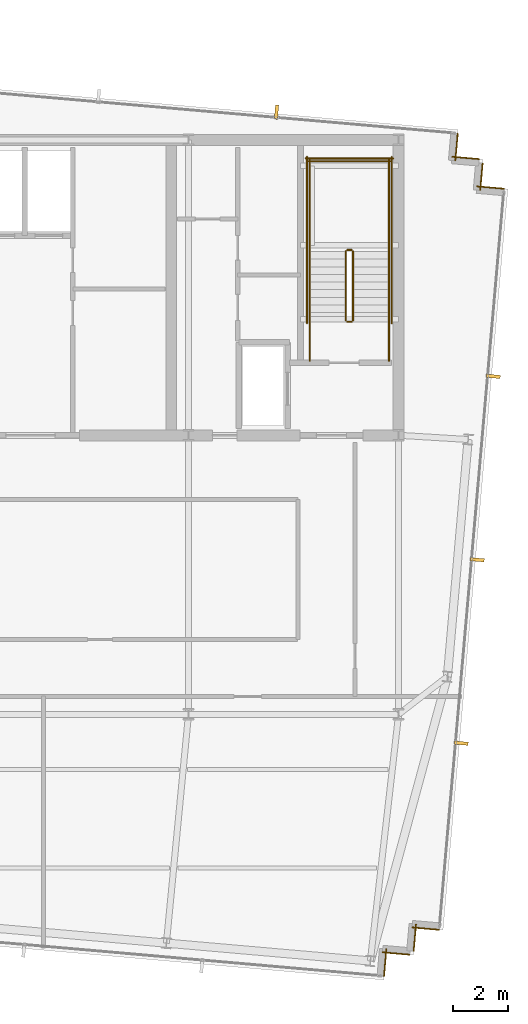
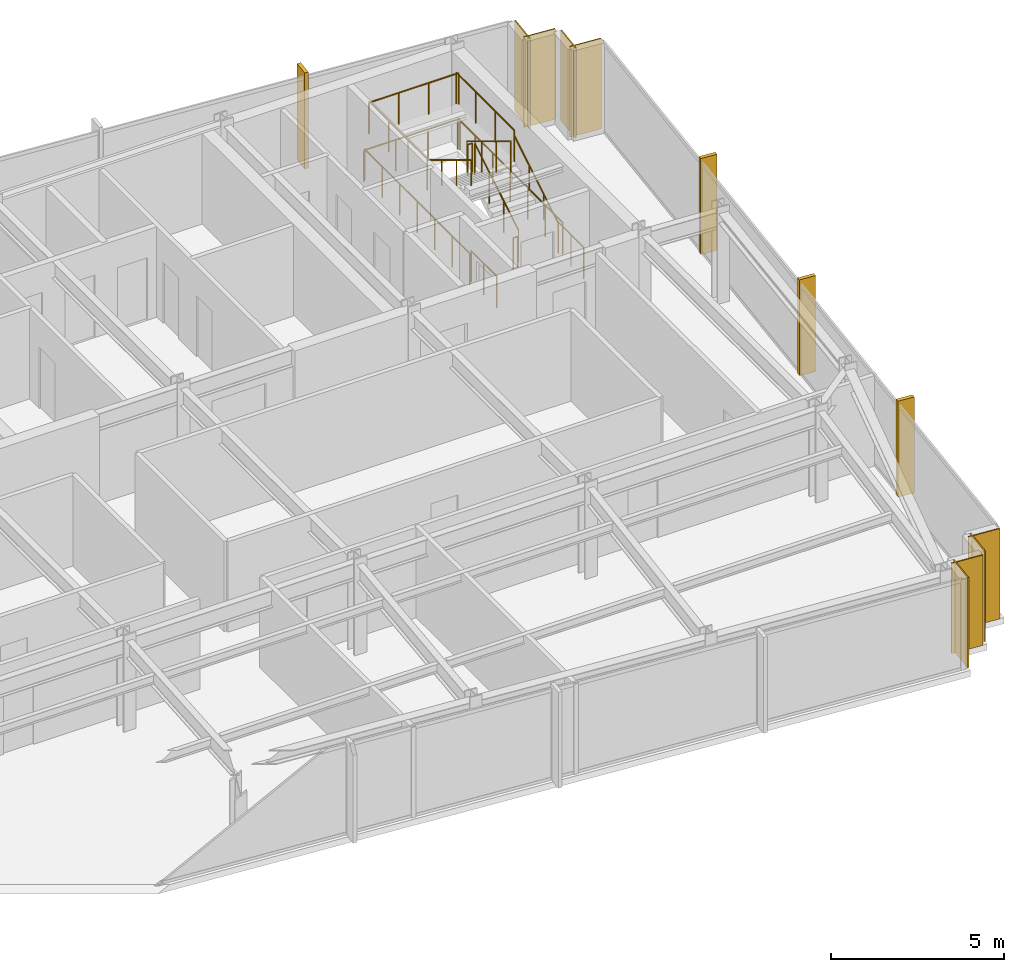
# One storey, part 31 of 32: 14 railings, 8 coverings, 4 shading devices.
"""IFC4 building model written with IfcOpenShell, lengths in metres."""

from ifc_helpers import new_model, si_unit, direction, frame, frame_2d, origin, origin_2d, place, context, subcontext, project, spatial, rectangle, circle, extrude, material, layer, layer_set, type_object, element, save


model = new_model("IFC4")

# Units and contexts
model_context = context("Model", 3, precision=1e-05, world=origin(), true_north=direction((0.0, 1.0)))
body_context = subcontext(model_context, "Body", "Model", "MODEL_VIEW")
ifc_project = project(units=[si_unit("LENGTHUNIT", "METRE"), si_unit("AREAUNIT", "SQUARE_METRE"), si_unit("VOLUMEUNIT", "CUBIC_METRE"), si_unit("PLANEANGLEUNIT", "RADIAN"), si_unit("MASSUNIT", "GRAM", prefix="KILO")], contexts=[model_context])

# Site, building, storey
site_placement = place(None, origin())
site = spatial("IfcSite", under=ifc_project, at=site_placement, CompositionType="ELEMENT")
building_placement = place(site_placement, origin())
building = spatial("IfcBuilding", under=site, at=building_placement, Name="Yelkora Congress Tower", CompositionType="ELEMENT")
storey_placement = place(building_placement, frame((0.0, 0.0, 262.5)))
storey = spatial("IfcBuildingStorey", under=building, at=storey_placement, Name="L73", CompositionType="ELEMENT", Elevation=262.5)

# Coverings
ifc_material_1 = material(Name="Anatolian bush-hammered limestone", Category="masonry")
ifc_layer_1 = layer(ifc_material_1, 0.0400390625)
ifc_layer_set_1 = layer_set([ifc_layer_1], Name="Anatolian bush-hammered limestone")
covering_type = type_object("IfcCoveringType", Name="COV-CLAD-SPANDREL-40", PredefinedType="CLADDING", material=ifc_layer_set_1)
for number, where, z_axis, x_axis, name in (
    (1, (55.92041015625, 46.431396484375, 0.0), (0.0, 0.0, 1.0), (-0.086903493655, -0.996216734848, 0.0), "L73 Anatolian Limestone Cladding EW-L73-SR11"),
    (2, (55.710693359375, 45.581298828125, 0.0), (0.0, 0.0, 1.0), (0.996193717496, -0.087166950281, 0.0), "L73 Anatolian Limestone Cladding EW-L73-SR12"),
    (3, (56.82958984375, 45.347900390625, 0.0), (0.0, 0.0, 1.0), (-0.087166950281, -0.996193717496, 0.0), "L73 Anatolian Limestone Cladding EW-L73-SR13"),
):
    element("IfcCovering", number, at=place(storey_placement, frame(where, z_axis=z_axis, x_axis=x_axis)), inside=storey, type_object=covering_type, Name=name, PredefinedType="CLADDING", context=body_context, shape_type="SweptSolid", body=[
        extrude(rectangle(XDim=1.0, YDim=0.0400390625, at=frame_2d((0.5, 0.0))), origin(), (0.0, 0.0, 1.0), 3.179931640625),
    ])
covering_1_placement = place(storey_placement, frame((56.61962890625, 44.498046875, 0.0), z_axis=(0.0, 0.0, 1.0), x_axis=(0.996195572005, -0.087145753297, 0.0)))
element("IfcCovering", 4, at=covering_1_placement, inside=storey, type_object=covering_type, Name="L73 Anatolian Limestone Cladding EW-L73-SR14", PredefinedType="CLADDING", context=body_context, shape_type="SweptSolid", body=[
    extrude(rectangle(XDim=1.000244140625, YDim=0.0400390625, at=frame_2d((0.5, 0.0))), origin(), (0.0, 0.0, 1.0), 3.179931640625),
])
for number, where, z_axis, x_axis, name in (
    (5, (55.24609375, 17.32421875, 0.0), (0.0, 0.0, 1.0), (-0.99617248636, 0.08740925248, 0.0), "L73 Anatolian Limestone Cladding EW-L73-SR16"),
    (6, (54.396240234375, 17.5341796875, 0.0), (0.0, 0.0, 1.0), (-0.087166950281, -0.996193717496, 0.0), "L73 Anatolian Limestone Cladding EW-L73-SR17"),
):
    element("IfcCovering", number, at=place(storey_placement, frame(where, z_axis=z_axis, x_axis=x_axis)), inside=storey, type_object=covering_type, Name=name, PredefinedType="CLADDING", context=body_context, shape_type="SweptSolid", body=[
        extrude(rectangle(XDim=1.0, YDim=0.0400390625, at=frame_2d((0.5, 0.0))), origin(), (0.0, 0.0, 1.0), 3.179931640625),
    ])
covering_2_placement = place(storey_placement, frame((54.162841796875, 16.415283203125, 0.0), z_axis=(0.0, 0.0, 1.0), x_axis=(-0.996195572005, 0.087145753297, 0.0)))
element("IfcCovering", 7, at=covering_2_placement, inside=storey, type_object=covering_type, Name="L73 Anatolian Limestone Cladding EW-L73-SR18", PredefinedType="CLADDING", context=body_context, shape_type="SweptSolid", body=[
    extrude(rectangle(XDim=1.000244140625, YDim=0.0400390625, at=frame_2d((0.5, 0.0))), origin(), (0.0, 0.0, 1.0), 3.179931640625),
])
covering_3_placement = place(storey_placement, frame((53.312744140625, 16.625, 0.0), z_axis=(0.0, 0.0, 1.0), x_axis=(-0.087166950281, -0.996193717496, 0.0)))
element("IfcCovering", 8, at=covering_3_placement, inside=storey, type_object=covering_type, Name="L73 Anatolian Limestone Cladding EW-L73-SR19", PredefinedType="CLADDING", context=body_context, shape_type="SweptSolid", body=[
    extrude(rectangle(XDim=1.0, YDim=0.0400390625, at=frame_2d((0.5, 0.0))), origin(), (0.0, 0.0, 1.0), 3.179931640625),
])

# Railings
ifc_material_2 = material(Name="Painted galvanised steel stair well guard with vertical infill", Category="steel")
ifc_layer_2 = layer(ifc_material_2, 0.06005859375)
ifc_layer_set_2 = layer_set([ifc_layer_2], Name="Painted galvanised steel stair well guard with vertical infill")
railing_type_1 = type_object("IfcRailingType", Name="RAIL-STAIR-GUARD-1120", PredefinedType="GUARDRAIL", material=ifc_layer_set_2)
railing_1_placement = place(storey_placement, frame((52.090087890625, 39.60009765625, 0.169921875)))
element("IfcRailing", 9, at=railing_1_placement, inside=storey, type_object=railing_type_1, Name="ST-02 L73 Stair Well Guardrail 1", PredefinedType="GUARDRAIL", context=body_context, shape_type="SweptSolid", body=[
    extrude(circle(Radius=0.02392578125, at=origin_2d()), frame((0.0, 0.0, 1.09619140625), z_axis=(0.0, 0.85478489116, 0.518982456201), x_axis=(-1.0, 0.0, 0.0)), (0.0, 0.0, 1.0), 2.9482421875),
    extrude(circle(Radius=0.02099609375, at=origin_2d()), origin(), (0.0, 0.0, 1.0), 1.072021484375),
    extrude(circle(Radius=0.02099609375, at=origin_2d()), frame((0.0, 0.840087890625, 0.510009765625)), (0.0, 0.0, 1.0), 1.072021484375),
    extrude(circle(Radius=0.02099609375, at=origin_2d()), frame((0.0, 1.679931640625, 1.02001953125)), (0.0, 0.0, 1.0), 1.072021484375),
    extrude(circle(Radius=0.02099609375, at=origin_2d()), frame((0.0, 2.52001953125, 1.530029296875)), (0.0, 0.0, 1.0), 1.072021484375),
])
railing_2_placement = place(storey_placement, frame((52.0400390625, 42.169921875, 1.699951171875)))
element("IfcRailing", 10, at=railing_2_placement, inside=storey, type_object=railing_type_1, Name="ST-02 L73 Stair Well Guardrail 2", PredefinedType="GUARDRAIL", context=body_context, shape_type="SweptSolid", body=[
    extrude(circle(Radius=0.02392578125, at=origin_2d()), frame((0.0, 0.0, 1.09619140625), z_axis=(-1.0, 0.0, 0.0), x_axis=(0.0, -1.0, 0.0)), (0.0, 0.0, 1.0), 0.16015625),
    extrude(circle(Radius=0.02099609375, at=origin_2d()), origin(), (0.0, 0.0, 1.0), 1.072021484375),
    extrude(circle(Radius=0.02099609375, at=origin_2d()), frame((-0.16015625, 0.0, 0.0)), (0.0, 0.0, 1.0), 1.072021484375),
])
for number, where, name in (
    (11, (53.409912109375, 42.1201171875, 1.699951171875), "ST-02 L73 Stair Well Guardrail 3"),
    (12, (50.510009765625, 42.1201171875, 1.699951171875), "ST-02 L73 Stair Well Guardrail 4"),
):
    element("IfcRailing", number, at=place(storey_placement, frame(where)), inside=storey, type_object=railing_type_1, Name=name, PredefinedType="GUARDRAIL", context=body_context, shape_type="SweptSolid", body=[
        extrude(circle(Radius=0.02392578125, at=origin_2d()), frame((0.0, 0.0, 1.09619140625), z_axis=(0.0, 1.0, 0.0), x_axis=(-1.0, 0.0, 0.0)), (0.0, 0.0, 1.0), 3.349853515625),
        extrude(circle(Radius=0.02099609375, at=origin_2d()), origin(), (0.0, 0.0, 1.0), 1.072021484375),
        extrude(circle(Radius=0.02099609375, at=origin_2d()), frame((0.0, 1.11669921875, 0.0)), (0.0, 0.0, 1.0), 1.072021484375),
        extrude(circle(Radius=0.02099609375, at=origin_2d()), frame((0.0, 2.233154296875, 0.0)), (0.0, 0.0, 1.0), 1.072021484375),
        extrude(circle(Radius=0.02099609375, at=origin_2d()), frame((0.0, 3.349853515625, 0.0)), (0.0, 0.0, 1.0), 1.072021484375),
    ])
railing_3_placement = place(storey_placement, frame((53.4599609375, 45.419921875, 1.699951171875)))
element("IfcRailing", 13, at=railing_3_placement, inside=storey, type_object=railing_type_1, Name="ST-02 L73 Stair Well Guardrail 5", PredefinedType="GUARDRAIL", context=body_context, shape_type="SweptSolid", body=[
    extrude(circle(Radius=0.02392578125, at=origin_2d()), frame((0.0, 0.0, 1.09619140625), z_axis=(-1.0, 0.0, 0.0), x_axis=(0.0, -1.0, 0.0)), (0.0, 0.0, 1.0), 3.0),
    extrude(circle(Radius=0.02099609375, at=origin_2d()), origin(), (0.0, 0.0, 1.0), 1.072021484375),
    extrude(circle(Radius=0.02099609375, at=origin_2d()), frame((-1.0, 0.0, 0.0)), (0.0, 0.0, 1.0), 1.072021484375),
    extrude(circle(Radius=0.02099609375, at=origin_2d()), frame((-2.0, 0.0, 0.0)), (0.0, 0.0, 1.0), 1.072021484375),
    extrude(circle(Radius=0.02099609375, at=origin_2d()), frame((-3.0, 0.0, 0.0)), (0.0, 0.0, 1.0), 1.072021484375),
])
railing_4_placement = place(storey_placement, frame((51.830078125, 42.1201171875, 1.8701171875)))
element("IfcRailing", 14, at=railing_4_placement, inside=storey, type_object=railing_type_1, Name="ST-02 L73 Stair Well Guardrail 6", PredefinedType="GUARDRAIL", context=body_context, shape_type="SweptSolid", body=[
    extrude(circle(Radius=0.02392578125, at=origin_2d()), frame((0.0, 0.0, 1.09619140625), z_axis=(0.0, -0.854821627497, 0.518921945155), x_axis=(1.0, 0.0, 0.0)), (0.0, 0.0, 1.0), 2.947998046875),
    extrude(circle(Radius=0.02099609375, at=origin_2d()), origin(), (0.0, 0.0, 1.0), 1.072021484375),
    extrude(circle(Radius=0.02099609375, at=origin_2d()), frame((0.0, -0.840087890625, 0.510009765625)), (0.0, 0.0, 1.0), 1.072021484375),
    extrude(circle(Radius=0.02099609375, at=origin_2d()), frame((0.0, -1.679931640625, 1.019775390625)), (0.0, 0.0, 1.0), 1.072021484375),
    extrude(circle(Radius=0.02099609375, at=origin_2d()), frame((0.0, -2.52001953125, 1.52978515625)), (0.0, 0.0, 1.0), 1.072021484375),
])
railing_5_placement = place(storey_placement, frame((52.0400390625, 39.550048828125, 0.0)))
element("IfcRailing", 15, at=railing_5_placement, inside=storey, type_object=railing_type_1, Name="ST-02 L73 Stair Well Guardrail 7", PredefinedType="GUARDRAIL", context=body_context, shape_type="SweptSolid", body=[
    extrude(circle(Radius=0.02392578125, at=origin_2d()), frame((0.0, 0.0, 1.09619140625), z_axis=(-1.0, 0.0, 0.0), x_axis=(0.0, -1.0, 0.0)), (0.0, 0.0, 1.0), 0.16015625),
    extrude(circle(Radius=0.02099609375, at=origin_2d()), origin(), (0.0, 0.0, 1.0), 1.072021484375),
    extrude(circle(Radius=0.02099609375, at=origin_2d()), frame((-0.16015625, 0.0, 0.0)), (0.0, 0.0, 1.0), 1.072021484375),
])
for number, where, name in (
    (16, (53.409912109375, 38.1201171875, 0.0), "ST-02 L73 Stair Well Guardrail 8"),
    (17, (50.510009765625, 38.1201171875, 0.0), "ST-02 L73 Stair Well Guardrail 9"),
):
    element("IfcRailing", number, at=place(storey_placement, frame(where)), inside=storey, type_object=railing_type_1, Name=name, PredefinedType="GUARDRAIL", context=body_context, shape_type="SweptSolid", body=[
        extrude(circle(Radius=0.02392578125, at=origin_2d()), frame((0.0, 0.0, 1.09619140625), z_axis=(0.0, 1.0, 0.0), x_axis=(-1.0, 0.0, 0.0)), (0.0, 0.0, 1.0), 1.47998046875),
        extrude(circle(Radius=0.02099609375, at=origin_2d()), origin(), (0.0, 0.0, 1.0), 1.072021484375),
        extrude(circle(Radius=0.02099609375, at=origin_2d()), frame((0.0, 0.739990234375, 0.0)), (0.0, 0.0, 1.0), 1.072021484375),
        extrude(circle(Radius=0.02099609375, at=origin_2d()), frame((0.0, 1.47998046875, 0.0)), (0.0, 0.0, 1.0), 1.072021484375),
    ])
for number, where, name in (
    (18, (53.510009765625, 39.5, 0.0), "ST-02 L73 Stair Well Guardrail 10"),
    (19, (50.409912109375, 39.5, 0.0), "ST-02 L73 Stair Well Guardrail 11"),
):
    element("IfcRailing", number, at=place(storey_placement, frame(where)), inside=storey, type_object=railing_type_1, Name=name, PredefinedType="GUARDRAIL", context=body_context, shape_type="SweptSolid", body=[
        extrude(circle(Radius=0.02392578125, at=origin_2d()), frame((0.0, 0.0, 1.09619140625), z_axis=(0.0, 1.0, 0.0), x_axis=(-1.0, 0.0, 0.0)), (0.0, 0.0, 1.0), 6.070068359375),
        extrude(circle(Radius=0.02099609375, at=origin_2d()), origin(), (0.0, 0.0, 1.0), 1.072021484375),
        extrude(circle(Radius=0.02099609375, at=origin_2d()), frame((0.0, 1.01171875, 0.0)), (0.0, 0.0, 1.0), 1.072021484375),
        extrude(circle(Radius=0.02099609375, at=origin_2d()), frame((0.0, 2.0234375, 0.0)), (0.0, 0.0, 1.0), 1.072021484375),
        extrude(circle(Radius=0.02099609375, at=origin_2d()), frame((0.0, 3.03515625, 0.0)), (0.0, 0.0, 1.0), 1.072021484375),
        extrude(circle(Radius=0.02099609375, at=origin_2d()), frame((0.0, 4.046630859375, 0.0)), (0.0, 0.0, 1.0), 1.072021484375),
        extrude(circle(Radius=0.02099609375, at=origin_2d()), frame((0.0, 5.058349609375, 0.0)), (0.0, 0.0, 1.0), 1.072021484375),
        extrude(circle(Radius=0.02099609375, at=origin_2d()), frame((0.0, 6.070068359375, 0.0)), (0.0, 0.0, 1.0), 1.072021484375),
    ])
railing_6_placement = place(storey_placement, frame((53.56005859375, 45.52001953125, 0.0)))
element("IfcRailing", 20, at=railing_6_placement, inside=storey, type_object=railing_type_1, Name="ST-02 L73 Stair Well Guardrail 12", PredefinedType="GUARDRAIL", context=body_context, shape_type="SweptSolid", body=[
    extrude(circle(Radius=0.02392578125, at=origin_2d()), frame((0.0, 0.0, 1.09619140625), z_axis=(-1.0, 0.0, 0.0), x_axis=(0.0, -1.0, 0.0)), (0.0, 0.0, 1.0), 3.199951171875),
    extrude(circle(Radius=0.02099609375, at=origin_2d()), origin(), (0.0, 0.0, 1.0), 1.072021484375),
    extrude(circle(Radius=0.02099609375, at=origin_2d()), frame((-1.066650390625, 0.0, 0.0)), (0.0, 0.0, 1.0), 1.072021484375),
    extrude(circle(Radius=0.02099609375, at=origin_2d()), frame((-2.13330078125, 0.0, 0.0)), (0.0, 0.0, 1.0), 1.072021484375),
    extrude(circle(Radius=0.02099609375, at=origin_2d()), frame((-3.199951171875, 0.0, 0.0)), (0.0, 0.0, 1.0), 1.072021484375),
])
ifc_material_3 = material(Name="Brushed stainless steel tubular handrail", Category="steel")
ifc_layer_3 = layer(ifc_material_3, 0.050048828125)
ifc_layer_set_3 = layer_set([ifc_layer_3], Name="Brushed stainless steel tubular handrail")
railing_type_2 = type_object("IfcRailingType", Name="RAIL-STAIR-HAND-920", PredefinedType="HANDRAIL", material=ifc_layer_set_3)
railing_7_placement = place(storey_placement, frame((53.409912109375, 39.60009765625, 0.169921875)))
element("IfcRailing", 21, at=railing_7_placement, inside=storey, type_object=railing_type_2, Name="ST-02 L73 Pitch Handrail 1", PredefinedType="HANDRAIL", context=body_context, shape_type="SweptSolid", body=[
    extrude(circle(Radius=0.02392578125, at=origin_2d()), frame((0.0, 0.0, 0.89599609375), z_axis=(0.0, 0.85478489116, 0.518982456201), x_axis=(-1.0, 0.0, 0.0)), (0.0, 0.0, 1.0), 2.9482421875),
    extrude(circle(Radius=0.02099609375, at=origin_2d()), origin(), (0.0, 0.0, 1.0), 0.871826171875),
    extrude(circle(Radius=0.02099609375, at=origin_2d()), frame((0.0, 0.840087890625, 0.510009765625)), (0.0, 0.0, 1.0), 0.871826171875),
    extrude(circle(Radius=0.02099609375, at=origin_2d()), frame((0.0, 1.679931640625, 1.02001953125)), (0.0, 0.0, 1.0), 0.871826171875),
    extrude(circle(Radius=0.02099609375, at=origin_2d()), frame((0.0, 2.52001953125, 1.530029296875)), (0.0, 0.0, 1.0), 0.871826171875),
])
railing_8_placement = place(storey_placement, frame((50.510009765625, 42.1201171875, 1.8701171875)))
element("IfcRailing", 22, at=railing_8_placement, inside=storey, type_object=railing_type_2, Name="ST-02 L73 Pitch Handrail 2", PredefinedType="HANDRAIL", context=body_context, shape_type="SweptSolid", body=[
    extrude(circle(Radius=0.02392578125, at=origin_2d()), frame((0.0, 0.0, 0.89599609375), z_axis=(0.0, -0.854821627497, 0.518921945155), x_axis=(1.0, 0.0, 0.0)), (0.0, 0.0, 1.0), 2.947998046875),
    extrude(circle(Radius=0.02099609375, at=origin_2d()), origin(), (0.0, 0.0, 1.0), 0.871826171875),
    extrude(circle(Radius=0.02099609375, at=origin_2d()), frame((0.0, -0.840087890625, 0.510009765625)), (0.0, 0.0, 1.0), 0.871826171875),
    extrude(circle(Radius=0.02099609375, at=origin_2d()), frame((0.0, -1.679931640625, 1.019775390625)), (0.0, 0.0, 1.0), 0.871826171875),
    extrude(circle(Radius=0.02099609375, at=origin_2d()), frame((0.0, -2.52001953125, 1.52978515625)), (0.0, 0.0, 1.0), 0.871826171875),
])

# Shading devices
ifc_material_4 = material(Name="Champagne anodised aluminium", Category="aluminium")
ifc_layer_4 = layer(ifc_material_4, 3.300048828125)
ifc_layer_set_4 = layer_set([ifc_layer_4], Name="Champagne anodised aluminium")
shading_device_type = type_object("IfcShadingDeviceType", Name="SHD-FIN-ALU-520", PredefinedType="USERDEFINED", material=ifc_layer_set_4)
for number, where, z_axis, x_axis, name in (
    (23, (49.296875, 47.21142578125, -0.030029296875), (0.0, 0.0, 1.0), (0.996194698092, -0.087155742748, 0.0), "L73 Vertical Anodised Solar Fin 10-6"),
    (24, (57.216796875, 37.554443359375, -0.030029296875), (0.0, 0.0, 1.0), (-0.087155742748, -0.996194698092, 0.0), "L73 Vertical Anodised Solar Fin 15-1"),
    (25, (56.630126953125, 30.85009765625, -0.030029296875), (0.0, 0.0, 1.0), (-0.087155742748, -0.996194698092, 0.0), "L73 Vertical Anodised Solar Fin 15-2"),
    (26, (56.043701171875, 24.145751953125, -0.030029296875), (0.0, 0.0, 1.0), (-0.087155742748, -0.996194698092, 0.0), "L73 Vertical Anodised Solar Fin 15-3"),
):
    element("IfcShadingDevice", number, at=place(storey_placement, frame(where, z_axis=z_axis, x_axis=x_axis)), inside=storey, type_object=shading_device_type, Name=name, ObjectType="FIN", PredefinedType="USERDEFINED", context=body_context, shape_type="SweptSolid", body=[
        extrude(rectangle(XDim=0.1201171875, YDim=0.52001953125, at=origin_2d()), origin(), (0.0, 0.0, 1.0), 3.3798828125),
    ])

save(model, "model.ifc")
